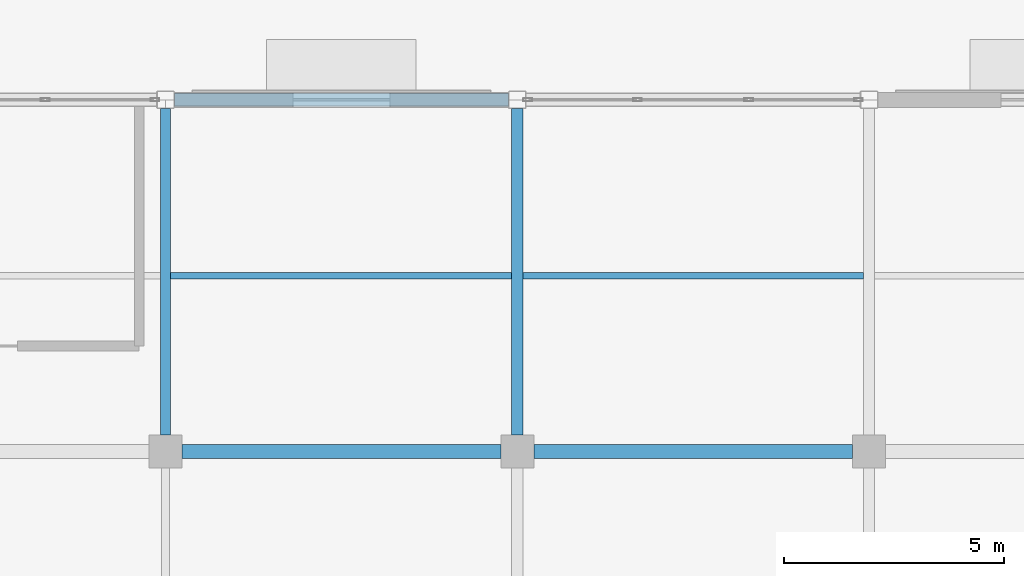
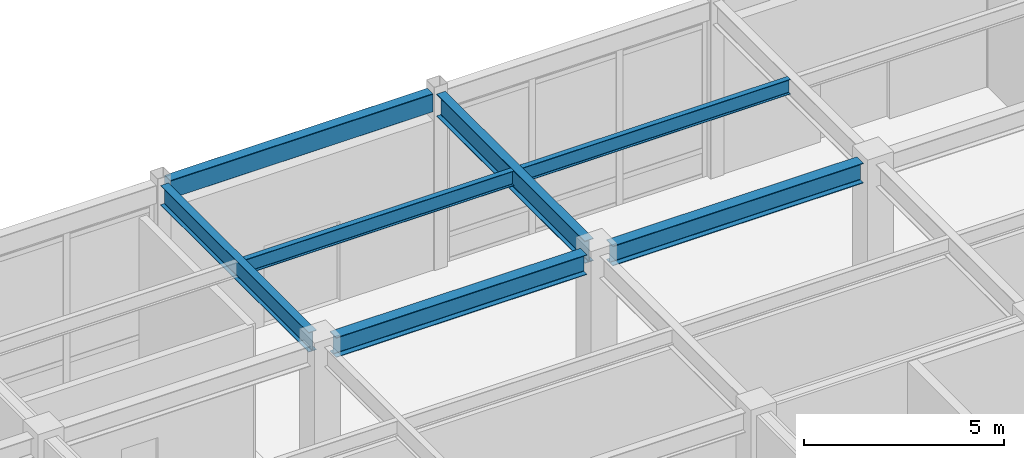
# One storey, part 90 of 128: 7 beams.
"""IFC4 building model written with IfcOpenShell, lengths in metres."""

import ifcopenshell
import ifcopenshell.guid

model = None  # the IFC model being written
_history = None  # IfcOwnerHistory: only IFC2X3 demands one
_inside = {}  # id of a spatial element -> (the spatial element, [elements in it])
_under = {}  # id of a project, library or spatial element -> (it, [spatial elements below it])
_declared = {}  # id of a project -> (the project, [libraries it declares])
_typed = {}  # id of a type object -> (the type object, [elements of that type])
_made_of = {}  # id of a material, layer set ... -> (it, [elements and type objects made of it])


def new_model(schema):
    """Start an empty IFC model of exactly this schema.

    Asked for "IFC4X3", IfcOpenShell would pick the latest addendum, in which some entities
    have other attributes; the version numbers below select the first issue.
    IFC2X3 requires an IfcOwnerHistory on every rooted entity: one is made here for all.
    """
    global model, _history
    if schema == "IFC4X3":
        model = ifcopenshell.file(schema_version=(4, 3, 0, 0))
    else:
        model = ifcopenshell.file(schema=schema)
    _inside.clear()
    _under.clear()
    _declared.clear()
    _typed.clear()
    _made_of.clear()
    _history = None
    if model.schema == "IFC2X3":
        org = make("IfcOrganization", Name="unknown")
        user = make(
            "IfcPersonAndOrganization",
            ThePerson=make("IfcPerson", FamilyName="unknown"),
            TheOrganization=org,
        )
        app = make(
            "IfcApplication",
            ApplicationDeveloper=org,
            Version="unknown",
            ApplicationFullName="unknown",
            ApplicationIdentifier="unknown",
        )
        _history = make(
            "IfcOwnerHistory",
            OwningUser=user,
            OwningApplication=app,
            ChangeAction="ADDED",
            CreationDate=0,
        )
    return model


def make(cls, **values):
    """One entity of the class cls with the attributes given. An attribute that is None is left unset."""
    return model.create_entity(
        cls, **{name: value for name, value in values.items() if value is not None}
    )


def rooted(cls, **values):
    """An entity with a GlobalId (a new one), such as an element, a storey or a relation."""
    return make(cls, GlobalId=ifcopenshell.guid.new(), OwnerHistory=_history, **values)


def si_unit(unit_type, name, prefix=None):
    """IfcSIUnit, for example si_unit("LENGTHUNIT", "METRE", prefix="MILLI")."""
    return make("IfcSIUnit", UnitType=unit_type, Prefix=prefix, Name=name)


def assignment(units):
    """IfcUnitAssignment: the units of a project."""
    return None if units is None else make("IfcUnitAssignment", Units=units)


def point(xyz):
    """IfcCartesianPoint."""
    return None if xyz is None else make("IfcCartesianPoint", Coordinates=xyz)


def direction(xyz):
    """IfcDirection."""
    return None if xyz is None else make("IfcDirection", DirectionRatios=xyz)


def frame(location, z_axis=None, x_axis=None):
    """IfcAxis2Placement3D, a coordinate frame: its origin and axes. An axis left out is left unset."""
    return make(
        "IfcAxis2Placement3D",
        Location=point(location),
        Axis=direction(z_axis),
        RefDirection=direction(x_axis),
    )


def frame_2d(location, x_axis=None):
    """IfcAxis2Placement2D, a coordinate frame in the plane: its origin and x axis."""
    return make(
        "IfcAxis2Placement2D", Location=point(location), RefDirection=direction(x_axis)
    )


def origin():
    """The frame at (0, 0, 0) with its axes left unset."""
    return frame((0.0, 0.0, 0.0))


def origin_2d():
    """The frame at (0, 0) in the plane with its x axis left unset."""
    return frame_2d((0.0, 0.0))


def place(relative_to, where):
    """IfcLocalPlacement: puts the frame where relative to a parent placement (None: the world)."""
    return make(
        "IfcLocalPlacement", PlacementRelTo=relative_to, RelativePlacement=where
    )


def context(
    kind, dimensions, precision=None, world=None, true_north=None, identifier=None
):
    """IfcGeometricRepresentationContext, for example the 3D "Model" context."""
    return make(
        "IfcGeometricRepresentationContext",
        ContextIdentifier=identifier,
        ContextType=kind,
        CoordinateSpaceDimension=dimensions,
        Precision=precision,
        WorldCoordinateSystem=world,
        TrueNorth=true_north,
    )


def subcontext(parent, identifier, kind, view, scale=None):
    """IfcGeometricRepresentationSubContext, for example "Body" below "Model"."""
    return make(
        "IfcGeometricRepresentationSubContext",
        ContextIdentifier=identifier,
        ContextType=kind,
        ParentContext=parent,
        TargetScale=scale,
        TargetView=view,
    )


def project(units=None, contexts=None):
    """IfcProject with its units and contexts."""
    return rooted(
        "IfcProject",
        Name="project",
        RepresentationContexts=contexts,
        UnitsInContext=assignment(units),
    )


def spatial(cls, under=None, at=None, **own):
    """A site, building, storey or space (cls), placed at a placement, below another one or the project."""
    s = rooted(cls, ObjectPlacement=at, **own)
    if under is not None:
        _under.setdefault(under.id(), (under, []))[1].append(s)
    return s


def profile(cls, at=None, kind="AREA", **sizes):
    """A parametric profile (cls). Its sizes go by their IFC names, for example OverallWidth=200.0."""
    return make(cls, ProfileType=kind, Position=at, **sizes)


def hollow_rectangle(**sizes):
    """IfcRectangleHollowProfileDef."""
    return profile("IfcRectangleHollowProfileDef", **sizes)


def i_section(**sizes):
    """IfcIShapeProfileDef."""
    return profile("IfcIShapeProfileDef", **sizes)


def extrude(swept, where, along, depth):
    """IfcExtrudedAreaSolid: the profile swept, set in the frame where, extruded along a direction by depth."""
    return make(
        "IfcExtrudedAreaSolid",
        SweptArea=swept,
        Position=where,
        ExtrudedDirection=direction(along),
        Depth=depth,
    )


def shape(context_of_items, identifier, shape_type, items):
    """IfcShapeRepresentation: the items that make up one representation, for example the "Body"."""
    return make(
        "IfcShapeRepresentation",
        ContextOfItems=context_of_items,
        RepresentationIdentifier=identifier,
        RepresentationType=shape_type,
        Items=items,
    )


def material(Name=None, Category=None):
    """IfcMaterial."""
    return make("IfcMaterial", Name=Name, Category=Category)


def material_profile(
    of_material, cross_section, Name=None, Category=None, Priority=None
):
    """IfcMaterialProfile: a cross section and its material."""
    return make(
        "IfcMaterialProfile",
        Name=Name,
        Material=of_material,
        Profile=cross_section,
        Priority=Priority,
        Category=Category,
    )


def profile_set(profiles, Name=None, composite=None):
    """IfcMaterialProfileSet."""
    return make(
        "IfcMaterialProfileSet",
        Name=Name,
        MaterialProfiles=profiles,
        CompositeProfile=composite,
    )


def made_of(thing, what):
    """Note that an element or type object is made of a material, layer set ...; save() writes the relation."""
    if what is not None:
        _made_of.setdefault(what.id(), (what, []))[1].append(thing)
    return thing


def type_object(cls, material=None, **own):
    """A type object (cls), such as IfcWallType, which elements share."""
    return made_of(rooted(cls, **own), material)


def element(
    cls,
    number,
    at=None,
    inside=None,
    cuts=None,
    type_object=None,
    material=None,
    context=None,
    identifier="Body",
    shape_type=None,
    held_by="IfcProductDefinitionShape",
    body=None,
    shapes=None,
    **own,
):
    """One element of the class cls, such as IfcWall. Its Tag is "e" and its number.

    at: its placement. inside: the storey or other place that contains it. cuts: it is an
    opening in that element (IfcRelVoidsElement). A single representation is given by context,
    identifier, shape_type and body (its items); several are given by shapes. held_by: the class
    of the entity that holds the representations. save() writes the other relations.
    """
    e = rooted(cls, Tag="e%d" % number, ObjectPlacement=at, **own)
    if body is not None:
        shapes = [shape(context, identifier, shape_type, body)]
    if shapes is not None:
        e.Representation = make(held_by, Representations=shapes)
    if inside is not None:
        _inside.setdefault(inside.id(), (inside, []))[1].append(e)
    if cuts is not None:
        rooted(
            "IfcRelVoidsElement", RelatingBuildingElement=cuts, RelatedOpeningElement=e
        )
    if type_object is not None:
        _typed.setdefault(type_object.id(), (type_object, []))[1].append(e)
    return made_of(e, material)


def aggregate(whole, parts):
    """IfcRelAggregates: a whole, such as a stair, and the parts it consists of."""
    return rooted("IfcRelAggregates", RelatingObject=whole, RelatedObjects=parts)


def save(model, path):
    """Write the relations noted so far, then the file.

    IfcRelAggregates (storeys below a building ...), IfcRelContainedInSpatialStructure (elements
    in a storey), IfcRelDefinesByType, IfcRelAssociatesMaterial and IfcRelDeclares: one each for
    every whole, place, type object, material and project.
    """
    for whole, parts in _under.values():
        aggregate(whole, parts)
    for where, things in _inside.values():
        rooted(
            "IfcRelContainedInSpatialStructure",
            RelatedElements=things,
            RelatingStructure=where,
        )
    for kind, things in _typed.values():
        rooted("IfcRelDefinesByType", RelatedObjects=things, RelatingType=kind)
    for what, things in _made_of.values():
        rooted("IfcRelAssociatesMaterial", RelatedObjects=things, RelatingMaterial=what)
    for by, libraries in _declared.values():
        rooted("IfcRelDeclares", RelatingContext=by, RelatedDefinitions=libraries)
    model.write(path)


model = new_model("IFC4")

# Units and contexts
model_context = context("Model", 3, precision=1e-05, world=origin(), true_north=direction((0.0, 1.0)))
body_context = subcontext(model_context, "Body", "Model", "MODEL_VIEW")
ifc_project = project(units=[si_unit("LENGTHUNIT", "METRE"), si_unit("AREAUNIT", "SQUARE_METRE"), si_unit("VOLUMEUNIT", "CUBIC_METRE"), si_unit("PLANEANGLEUNIT", "RADIAN"), si_unit("MASSUNIT", "GRAM", prefix="KILO")], contexts=[model_context])

# Site, building, storey
site_placement = place(None, origin())
site = spatial("IfcSite", under=ifc_project, at=site_placement, CompositionType="ELEMENT")
building_placement = place(site_placement, origin())
building = spatial("IfcBuilding", under=site, at=building_placement, Name="Solmirada Galleria", CompositionType="ELEMENT")
storey_placement = place(building_placement, origin())
storey = spatial("IfcBuildingStorey", under=building, at=storey_placement, Name="L00", CompositionType="ELEMENT", Elevation=0.0)

# Beams
ifc_material_1 = material(Name="Steel S355 / ASTM A992 Grade 50", Category="steel")
ifc_material_profile_1 = material_profile(ifc_material_1, i_section(OverallWidth=0.323974609375, OverallDepth=0.611083984375, WebThickness=0.0126953125, FlangeThickness=0.01904296875, FilletRadius=0.014892578125, at=origin_2d()), Name="W24X104")
ifc_profile_set_1 = profile_set([ifc_material_profile_1], Name="Steel S355 / ASTM A992 Grade 50")
beam_type_1 = type_object("IfcBeamType", Name="BM-GIRD-W24A", PredefinedType="BEAM", material=ifc_profile_set_1)
for number, where, z_axis, x_axis, name in (
    (1, (152.375, 112.0, 5.074462890625), (1.0, 0.0, 0.0), (0.0, 1.0, 0.0), "Primary beam L01 X(152..160, 112)"),
    (2, (160.375, 112.0, 5.074462890625), (1.0, 0.0, 0.0), (0.0, 1.0, 0.0), "Primary beam L01 X(160..168, 112)"),
):
    element("IfcBeam", number, at=place(storey_placement, frame(where, z_axis=z_axis, x_axis=x_axis)), inside=storey, type_object=beam_type_1, Name=name, PredefinedType="BEAM", context=body_context, shape_type="SweptSolid", body=[
        extrude(i_section(OverallWidth=0.323974609375, OverallDepth=0.611083984375, WebThickness=0.0126953125, FlangeThickness=0.01904296875, FilletRadius=0.014892578125, at=origin_2d()), origin(), (0.0, 0.0, 1.0), 7.25),
    ])
ifc_material_profile_2 = material_profile(ifc_material_1, i_section(OverallWidth=0.22802734375, OverallDepth=0.60302734375, WebThickness=0.010498046875, FlangeThickness=0.014892578125, FilletRadius=0.014892578125, at=origin_2d()), Name="W24X68")
ifc_profile_set_2 = profile_set([ifc_material_profile_2], Name="Steel S355 / ASTM A992 Grade 50")
beam_type_2 = type_object("IfcBeamType", Name="BM-GIRD-W24C", PredefinedType="BEAM", material=ifc_profile_set_2)
beam_1_placement = place(storey_placement, frame((152.0, 112.375, 5.07861328125), z_axis=(0.0, 1.0, 0.0), x_axis=(-1.0, 0.0, 0.0)))
element("IfcBeam", 3, at=beam_1_placement, inside=storey, type_object=beam_type_2, Name="Primary girder L01 Y(152, 112..120)", PredefinedType="BEAM", context=body_context, shape_type="SweptSolid", body=[
    extrude(i_section(OverallWidth=0.22802734375, OverallDepth=0.60302734375, WebThickness=0.010498046875, FlangeThickness=0.014892578125, FilletRadius=0.014892578125, at=origin_2d()), origin(), (0.0, 0.0, 1.0), 7.422119140625),
])
ifc_material_profile_3 = material_profile(ifc_material_1, i_section(OverallWidth=0.25390625, OverallDepth=0.68408203125, WebThickness=0.012451171875, FlangeThickness=0.018798828125, FilletRadius=0.01708984375, at=origin_2d()), Name="W27X94")
ifc_profile_set_3 = profile_set([ifc_material_profile_3], Name="Steel S355 / ASTM A992 Grade 50")
beam_type_3 = type_object("IfcBeamType", Name="BM-GIRD-W27B", PredefinedType="BEAM", material=ifc_profile_set_3)
beam_2_placement = place(storey_placement, frame((160.0, 112.375, 5.0380859375), z_axis=(0.0, 1.0, 0.0), x_axis=(-1.0, 0.0, 0.0)))
element("IfcBeam", 4, at=beam_2_placement, inside=storey, type_object=beam_type_3, Name="Primary girder L01 Y(160, 112..120)", PredefinedType="BEAM", context=body_context, shape_type="SweptSolid", body=[
    extrude(i_section(OverallWidth=0.25390625, OverallDepth=0.68408203125, WebThickness=0.012451171875, FlangeThickness=0.018798828125, FilletRadius=0.01708984375, at=origin_2d()), origin(), (0.0, 0.0, 1.0), 7.422119140625),
])
ifc_material_profile_4 = material_profile(ifc_material_1, i_section(OverallWidth=0.153076171875, OverallDepth=0.455078125, WebThickness=0.008056640625, FlangeThickness=0.01318359375, FilletRadius=0.011962890625, at=origin_2d()), Name="W18X40")
ifc_profile_set_4 = profile_set([ifc_material_profile_4], Name="Steel S355 / ASTM A992 Grade 50")
beam_type_4 = type_object("IfcBeamType", Name="BM-JST-W18A", PredefinedType="JOIST", material=ifc_profile_set_4)
beam_3_placement = place(storey_placement, frame((152.114013671875, 116.0, 5.152587890625), z_axis=(1.0, 0.0, 0.0), x_axis=(0.0, 1.0, 0.0)))
element("IfcBeam", 5, at=beam_3_placement, inside=storey, type_object=beam_type_4, Name="Composite floor joist L01 (152..160, 116.0)", PredefinedType="JOIST", context=body_context, shape_type="SweptSolid", body=[
    extrude(i_section(OverallWidth=0.153076171875, OverallDepth=0.455078125, WebThickness=0.008056640625, FlangeThickness=0.01318359375, FilletRadius=0.011962890625, at=origin_2d()), origin(), (0.0, 0.0, 1.0), 7.759033203125),
])
beam_4_placement = place(storey_placement, frame((160.126953125, 116.0, 5.152587890625), z_axis=(1.0, 0.0, 0.0), x_axis=(0.0, 1.0, 0.0)))
element("IfcBeam", 6, at=beam_4_placement, inside=storey, type_object=beam_type_4, Name="Composite floor joist L01 (160..168, 116.0)", PredefinedType="JOIST", context=body_context, shape_type="SweptSolid", body=[
    extrude(i_section(OverallWidth=0.153076171875, OverallDepth=0.455078125, WebThickness=0.008056640625, FlangeThickness=0.01318359375, FilletRadius=0.011962890625, at=origin_2d()), origin(), (0.0, 0.0, 1.0), 7.7451171875),
])
ifc_material_2 = material(Name="Steel S355 / ASTM A500 Grade C", Category="steel")
ifc_material_profile_5 = material_profile(ifc_material_2, hollow_rectangle(XDim=0.304931640625, YDim=0.55908203125, WallThickness=0.01171875, InnerFilletRadius=0.01171875, OuterFilletRadius=0.023681640625, at=origin_2d()), Name="HSS22X12X1/2")
ifc_profile_set_5 = profile_set([ifc_material_profile_5], Name="Steel S355 / ASTM A500 Grade C")
beam_type_5 = type_object("IfcBeamType", Name="BM-SPAND-W21", PredefinedType="SPANDREL", material=ifc_profile_set_5)
beam_5_placement = place(storey_placement, frame((152.202880859375, 120.0, 5.1005859375), z_axis=(1.0, 0.0, 0.0), x_axis=(0.0, 1.0, 0.0)))
element("IfcBeam", 7, at=beam_5_placement, inside=storey, type_object=beam_type_5, Name="Primary beam L01 X(152..160, 120)", PredefinedType="SPANDREL", context=body_context, shape_type="SweptSolid", body=[
    extrude(hollow_rectangle(XDim=0.304931640625, YDim=0.55908203125, WallThickness=0.01171875, InnerFilletRadius=0.01171875, OuterFilletRadius=0.023681640625, at=origin_2d()), origin(), (0.0, 0.0, 1.0), 7.59423828125),
])

save(model, "model.ifc")
